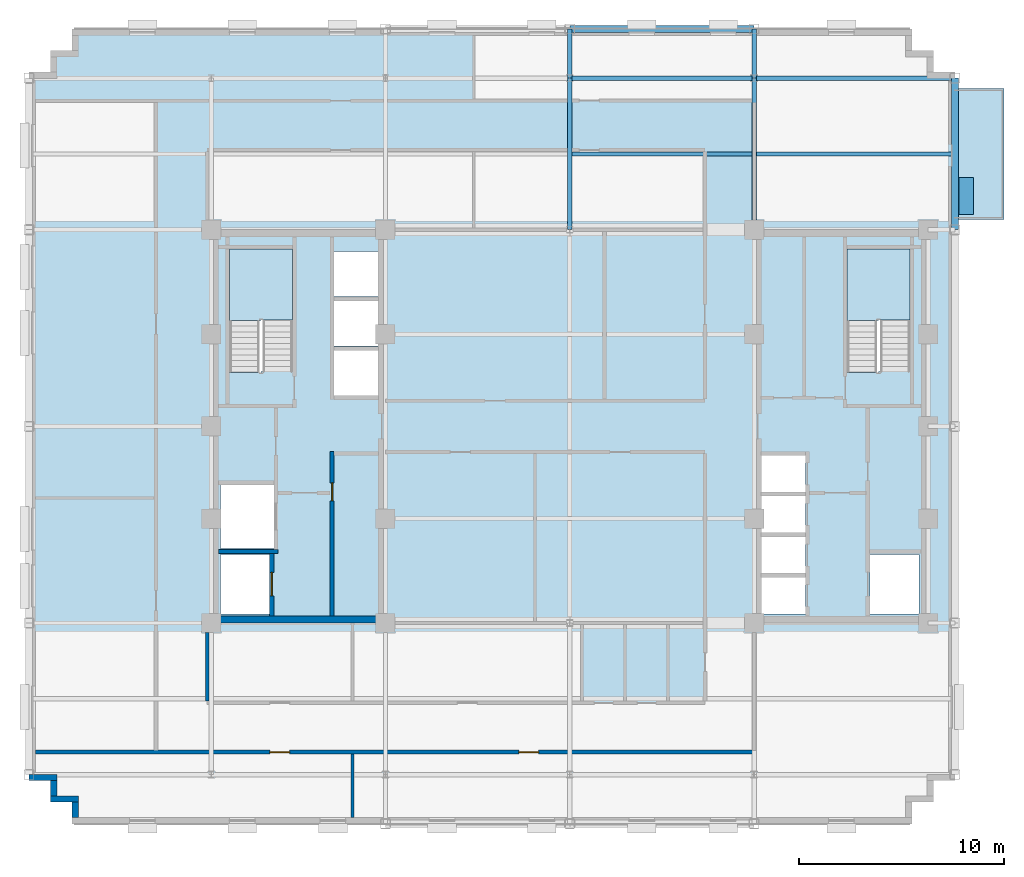
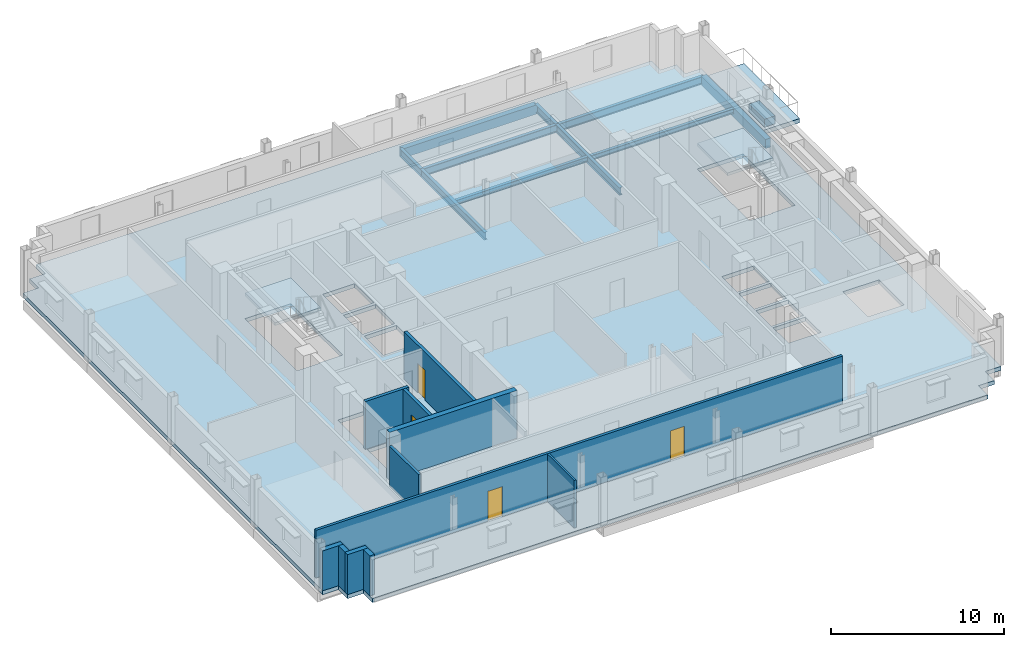
# One storey, part 5 of 13: 11 walls, 10 beams, 4 doors, 4 slabs, 1 plate, 4 openings, 2 elements without a shape of their own.
"""IFC4 building model written with IfcOpenShell, lengths in metres."""

from ifc_helpers import new_model, si_unit, direction, frame, frame_2d, origin, origin_2d, place, context, subcontext, project, spatial, polyline, rectangle, i_section, outline, extrude, source, transform, mapped, material, layer, layer_set, material_profile, profile_set, type_object, type_shapes, element, fill, aggregate, save


model = new_model("IFC4")

# Units and contexts
model_context = context("Model", 3, precision=1e-05, world=origin(), true_north=direction((0.0, 1.0)))
body_context = subcontext(model_context, "Body", "Model", "MODEL_VIEW")
ifc_project = project(units=[si_unit("LENGTHUNIT", "METRE"), si_unit("AREAUNIT", "SQUARE_METRE"), si_unit("VOLUMEUNIT", "CUBIC_METRE"), si_unit("PLANEANGLEUNIT", "RADIAN"), si_unit("MASSUNIT", "GRAM", prefix="KILO")], contexts=[model_context])

# Site, building, storey
site_placement = place(None, origin())
site = spatial("IfcSite", under=ifc_project, at=site_placement, CompositionType="ELEMENT")
building_placement = place(site_placement, origin())
building = spatial("IfcBuilding", under=site, at=building_placement, Name="Nuvemarco Arch Tower", CompositionType="ELEMENT")
storey_placement = place(building_placement, frame((0.0, 0.0, 216.449951171875)))
storey = spatial("IfcBuildingStorey", under=building, at=storey_placement, Name="L57", CompositionType="ELEMENT", Elevation=216.449951171875)

# Beams
ifc_material_1 = material(Name="Steel S355", Category="steel")
ifc_material_profile_1 = material_profile(ifc_material_1, i_section(OverallWidth=0.2109375, OverallDepth=0.5390625, WebThickness=0.01171875, FlangeThickness=0.018798828125, FilletRadius=0.01611328125, at=origin_2d()), Name="W530x109")
ifc_profile_set_1 = profile_set([ifc_material_profile_1], Name="Steel S355")
beam_type_1 = type_object("IfcBeamType", Name="BM-GIRD-530", PredefinedType="BEAM", material=ifc_profile_set_1)
beam_1_placement = place(storey_placement, frame((0.0, 9.60009765625, -0.549560546875), z_axis=(0.0, 1.0, 0.0), x_axis=(-1.0, 0.0, 0.0)))
element("IfcBeam", 1, at=beam_1_placement, inside=storey, type_object=beam_type_1, Name="L57 structural beam BGNS_L57_0_+0.0_+9.6", PredefinedType="BEAM", context=body_context, shape_type="SweptSolid", body=[
    extrude(i_section(OverallWidth=0.2109375, OverallDepth=0.5390625, WebThickness=0.01171875, FlangeThickness=0.018798828125, FilletRadius=0.01611328125, at=origin_2d()), origin(), (0.0, 0.0, 1.0), 7.39990234375),
])
beam_2_placement = place(storey_placement, frame((0.0, 17.0, -0.549560546875), z_axis=(0.0, 1.0, 0.0), x_axis=(-1.0, 0.0, 0.0)))
element("IfcBeam", 2, at=beam_2_placement, inside=storey, type_object=beam_type_1, Name="L57 structural beam BGNS_L57_0_+0.0_+17.0", PredefinedType="BEAM", context=body_context, shape_type="SweptSolid", body=[
    extrude(i_section(OverallWidth=0.2109375, OverallDepth=0.5390625, WebThickness=0.01171875, FlangeThickness=0.018798828125, FilletRadius=0.01611328125, at=origin_2d()), origin(), (0.0, 0.0, 1.0), 2.39990234375),
])
beam_3_placement = place(storey_placement, frame((9.0, 9.60009765625, -0.549560546875), z_axis=(0.0, 1.0, 0.0), x_axis=(-1.0, 0.0, 0.0)))
element("IfcBeam", 3, at=beam_3_placement, inside=storey, type_object=beam_type_1, Name="L57 structural beam BGNS_L57_0_+9.0_+9.6", PredefinedType="BEAM", context=body_context, shape_type="SweptSolid", body=[
    extrude(i_section(OverallWidth=0.2109375, OverallDepth=0.5390625, WebThickness=0.01171875, FlangeThickness=0.018798828125, FilletRadius=0.01611328125, at=origin_2d()), origin(), (0.0, 0.0, 1.0), 7.39990234375),
])
beam_4_placement = place(storey_placement, frame((9.0, 17.0, -0.549560546875), z_axis=(0.0, 1.0, 0.0), x_axis=(-1.0, 0.0, 0.0)))
element("IfcBeam", 4, at=beam_4_placement, inside=storey, type_object=beam_type_1, Name="L57 structural beam BGNS_L57_0_+9.0_+17.0", PredefinedType="BEAM", context=body_context, shape_type="SweptSolid", body=[
    extrude(i_section(OverallWidth=0.2109375, OverallDepth=0.5390625, WebThickness=0.01171875, FlangeThickness=0.018798828125, FilletRadius=0.01611328125, at=origin_2d()), origin(), (0.0, 0.0, 1.0), 2.39990234375),
])
beam_5_placement = place(storey_placement, frame((0.0, 17.0, -0.549560546875), z_axis=(1.0, 0.0, 0.0), x_axis=(0.0, 1.0, 0.0)))
element("IfcBeam", 5, at=beam_5_placement, inside=storey, type_object=beam_type_1, Name="L57 structural beam BGEW_L57_0_+17.0_+0.0", PredefinedType="BEAM", context=body_context, shape_type="SweptSolid", body=[
    extrude(i_section(OverallWidth=0.2109375, OverallDepth=0.5390625, WebThickness=0.01171875, FlangeThickness=0.018798828125, FilletRadius=0.01611328125, at=origin_2d()), origin(), (0.0, 0.0, 1.0), 9.0),
])
beam_6_placement = place(storey_placement, frame((9.0, 17.0, -0.549560546875), z_axis=(1.0, 0.0, 0.0), x_axis=(0.0, 1.0, 0.0)))
element("IfcBeam", 6, at=beam_6_placement, inside=storey, type_object=beam_type_1, Name="L57 structural beam BGEW_L57_0_+17.0_+9.0", PredefinedType="BEAM", context=body_context, shape_type="SweptSolid", body=[
    extrude(i_section(OverallWidth=0.2109375, OverallDepth=0.5390625, WebThickness=0.01171875, FlangeThickness=0.018798828125, FilletRadius=0.01611328125, at=origin_2d()), origin(), (0.0, 0.0, 1.0), 9.800048828125),
])
ifc_material_profile_2 = material_profile(ifc_material_1, i_section(OverallWidth=0.202880859375, OverallDepth=0.346923828125, WebThickness=0.0078125, FlangeThickness=0.013427734375, FilletRadius=0.014892578125, at=origin_2d()), Name="W360x64")
ifc_profile_set_2 = profile_set([ifc_material_profile_2], Name="Steel S355")
beam_type_2 = type_object("IfcBeamType", Name="BM-JOIST-360", PredefinedType="JOIST", material=ifc_profile_set_2)
beam_7_placement = place(storey_placement, frame((0.10546875, 13.300048828125, -0.453369140625), z_axis=(1.0, 0.0, 0.0), x_axis=(0.0, 1.0, 0.0)))
element("IfcBeam", 7, at=beam_7_placement, inside=storey, type_object=beam_type_2, Name="L57 structural beam BJ_L57_0_+13.3_+0.0", PredefinedType="JOIST", context=body_context, shape_type="SweptSolid", body=[
    extrude(i_section(OverallWidth=0.202880859375, OverallDepth=0.346923828125, WebThickness=0.0078125, FlangeThickness=0.013427734375, FilletRadius=0.014892578125, at=origin_2d()), origin(), (0.0, 0.0, 1.0), 8.7890625),
])
beam_8_placement = place(storey_placement, frame((9.10546875, 13.300048828125, -0.453369140625), z_axis=(1.0, 0.0, 0.0), x_axis=(0.0, 1.0, 0.0)))
element("IfcBeam", 8, at=beam_8_placement, inside=storey, type_object=beam_type_2, Name="L57 structural beam BJ_L57_0_+13.3_+9.0", PredefinedType="JOIST", context=body_context, shape_type="SweptSolid", body=[
    extrude(i_section(OverallWidth=0.202880859375, OverallDepth=0.346923828125, WebThickness=0.0078125, FlangeThickness=0.013427734375, FilletRadius=0.014892578125, at=origin_2d()), origin(), (0.0, 0.0, 1.0), 9.51953125),
])
ifc_material_2 = material(Name="Precast concrete C45/55", Category="concrete")
ifc_material_profile_3 = material_profile(ifc_material_2, rectangle(XDim=0.35009765625, YDim=0.64990234375, at=origin_2d()), Name="PC-SP-350x650")
ifc_profile_set_3 = profile_set([ifc_material_profile_3], Name="Precast concrete C45/55")
beam_type_3 = type_object("IfcBeamType", Name="BM-SPAN-RC", PredefinedType="SPANDREL", material=ifc_profile_set_3)
beam_9_placement = place(storey_placement, frame((18.800048828125, 9.60009765625, -0.60498046875), z_axis=(0.0, 1.0, 0.0), x_axis=(-1.0, 0.0, 0.0)))
element("IfcBeam", 9, at=beam_9_placement, inside=storey, type_object=beam_type_3, Name="L57 structural beam BGNS_L57_0_+18.8_+9.6", PredefinedType="SPANDREL", context=body_context, shape_type="SweptSolid", body=[
    extrude(rectangle(XDim=0.35009765625, YDim=0.64990234375, at=origin_2d()), origin(), (0.0, 0.0, 1.0), 7.39990234375),
])
beam_10_placement = place(storey_placement, frame((0.0, 19.39990234375, -0.60498046875), z_axis=(1.0, 0.0, 0.0), x_axis=(0.0, 1.0, 0.0)))
element("IfcBeam", 10, at=beam_10_placement, inside=storey, type_object=beam_type_3, Name="L57 structural beam BGEW_L57_0_+19.4_+0.0", PredefinedType="SPANDREL", context=body_context, shape_type="SweptSolid", body=[
    extrude(rectangle(XDim=0.35009765625, YDim=0.64990234375, at=origin_2d()), origin(), (0.0, 0.0, 1.0), 9.0),
])

# Slab
ifc_material_3 = material(Name="Concrete C50/60", Category="concrete")
ifc_layer_1 = layer(ifc_material_3, 0.280029296875, Name="SL-FLR-280")
ifc_layer_set_1 = layer_set([ifc_layer_1], Name="Concrete C50/60")
slab_type_1 = type_object("IfcSlabType", Name="SL-FLR-280", PredefinedType="FLOOR", material=ifc_layer_set_1)
slab_1_placement = place(storey_placement, frame((0.0, 0.0, -0.280029296875)))
element("IfcSlab", 11, at=slab_1_placement, inside=storey, type_object=slab_type_1, Name="L57 structural floor slab", PredefinedType="FLOOR", context=body_context, shape_type="SweptSolid", body=[
    extrude(outline(polyline([(-24.300048828125, -19.39990234375), (16.699951171875, -19.39990234375), (16.699951171875, -18.35009765625), (17.75, -18.35009765625), (17.75, -17.300048828125), (18.800048828125, -17.300048828125), (18.800048828125, 17.300048828125), (17.75, 17.300048828125), (17.75, 18.35009765625), (16.699951171875, 18.35009765625), (16.699951171875, 19.39990234375), (-24.300048828125, 19.39990234375), (-24.300048828125, 18.35009765625), (-25.35009765625, 18.35009765625), (-25.35009765625, 17.300048828125), (-26.39990234375, 17.300048828125), (-26.39990234375, -17.300048828125), (-25.35009765625, -17.300048828125), (-25.35009765625, -18.35009765625), (-24.300048828125, -18.35009765625), (-24.300048828125, -19.39990234375)]), holes=[polyline([(-13.5400390625, 2.669921875), (-13.5400390625, 8.64990234375), (-16.60009765625, 8.64990234375), (-16.60009765625, 2.630615234375), (-15.070068359375, 2.630615234375), (-15.070068359375, 2.669921875), (-13.5400390625, 2.669921875)]), polyline([(16.60009765625, 2.669921875), (16.60009765625, 8.64990234375), (13.5400390625, 8.64990234375), (13.5400390625, 2.630615234375), (15.070068359375, 2.630615234375), (15.070068359375, 2.669921875), (16.60009765625, 2.669921875)]), polyline([(-17.050048828125, -9.14990234375), (-14.64990234375, -9.14990234375), (-14.64990234375, -6.25), (-17.050048828125, -6.25), (-17.050048828125, -9.14990234375)]), polyline([(-17.050048828125, -5.949951171875), (-14.449951171875, -5.949951171875), (-14.449951171875, -2.85009765625), (-17.050048828125, -2.85009765625), (-17.050048828125, -5.949951171875)]), polyline([(-11.5, 1.5), (-9.35009765625, 1.5), (-9.35009765625, 3.699951171875), (-11.5, 3.699951171875), (-11.5, 1.5)]), polyline([(-11.5, 3.919921875), (-9.35009765625, 3.919921875), (-9.35009765625, 6.1201171875), (-11.5, 6.1201171875), (-11.5, 3.919921875)]), polyline([(-11.5, 6.340087890625), (-9.35009765625, 6.340087890625), (-9.35009765625, 8.5400390625), (-11.5, 8.5400390625), (-11.5, 6.340087890625)]), polyline([(14.64990234375, -9.14990234375), (17.050048828125, -9.14990234375), (17.050048828125, -6.25), (14.64990234375, -6.25), (14.64990234375, -9.14990234375)]), polyline([(9.35009765625, -9.14990234375), (11.5, -9.14990234375), (11.5, -7.3701171875), (9.35009765625, -7.3701171875), (9.35009765625, -9.14990234375)]), polyline([(9.35009765625, -7.169921875), (11.5, -7.169921875), (11.5, -5.389892578125), (9.35009765625, -5.389892578125), (9.35009765625, -7.169921875)]), polyline([(9.35009765625, -5.18994140625), (11.5, -5.18994140625), (11.5, -3.409912109375), (9.35009765625, -3.409912109375), (9.35009765625, -5.18994140625)]), polyline([(9.35009765625, -3.2099609375), (11.5, -3.2099609375), (11.5, -1.429931640625), (9.35009765625, -1.429931640625), (9.35009765625, -3.2099609375)])]), origin(), (0.0, 0.0, 1.0), 0.280029296875),
])

# Stair, slab
stair_type = type_object("IfcStairType", Name="ST-CORE-20R", PredefinedType="HALF_TURN_STAIR", material=ifc_material_2)
stair_1_placement = place(storey_placement, origin())
stair_1 = element("IfcStair", 12, at=stair_1_placement, inside=storey, type_object=stair_type, Name="L57 Protected Exit Stair ST-1", PredefinedType="HALF_TURN_STAIR")
ifc_layer_2 = layer(ifc_material_2, 0.199951171875, Name="SL-LANDING-200")
ifc_layer_set_2 = layer_set([ifc_layer_2], Name="Precast concrete C45/55")
slab_type_2 = type_object("IfcSlabType", Name="SL-LANDING-200", PredefinedType="LANDING", material=ifc_layer_set_2)
slab_2_placement = place(storey_placement, frame((0.0, 0.0, 1.625)))
slab_2 = element("IfcSlab", 13, at=slab_2_placement, type_object=slab_type_2, Name="ST-20R landing 1", PredefinedType="LANDING", context=body_context, shape_type="SweptSolid", body=[
    extrude(outline(polyline([(-13.5400390625, 5.189453125), (-13.5400390625, 8.64990234375), (-16.60009765625, 8.64990234375), (-16.60009765625, 5.169921875), (-15.070068359375, 5.169921875), (-15.070068359375, 5.189453125), (-13.5400390625, 5.189453125)])), origin(), (0.0, 0.0, 1.0), 0.199951171875),
])
aggregate(stair_1, [slab_2])

stair_2_placement = place(storey_placement, origin())
stair_2 = element("IfcStair", 14, at=stair_2_placement, inside=storey, type_object=stair_type, Name="L57 Protected Exit Stair ST-2", PredefinedType="HALF_TURN_STAIR")
slab_3_placement = place(storey_placement, frame((0.0, 0.0, 1.625)))
slab_3 = element("IfcSlab", 15, at=slab_3_placement, type_object=slab_type_2, Name="ST-20R landing 1", PredefinedType="LANDING", context=body_context, shape_type="SweptSolid", body=[
    extrude(outline(polyline([(16.60009765625, 5.189453125), (16.60009765625, 8.64990234375), (13.5400390625, 8.64990234375), (13.5400390625, 5.169921875), (15.070068359375, 5.169921875), (15.070068359375, 5.189453125), (16.60009765625, 5.189453125)])), origin(), (0.0, 0.0, 1.0), 0.199951171875),
])
aggregate(stair_2, [slab_3])

# Slab
ifc_layer_3 = layer(ifc_material_3, 0.294921875, Name="SL-TR4")
ifc_layer_set_3 = layer_set([ifc_layer_3], Name="Concrete C50/60")
slab_type_3 = type_object("IfcSlabType", Name="SL-TR4", PredefinedType="FLOOR", material=ifc_layer_set_3)
slab_4_placement = place(storey_placement, frame((0.0, 0.0, -0.294921875)))
element("IfcSlab", 16, at=slab_4_placement, inside=storey, type_object=slab_type_3, Name="L57 outdoor spiral terrace slab 1", PredefinedType="FLOOR", context=body_context, shape_type="SweptSolid", body=[
    extrude(outline(polyline([(18.800048828125, 10.10009765625), (21.199951171875, 10.10009765625), (21.199951171875, 16.5), (18.800048828125, 16.5), (18.800048828125, 10.10009765625)])), origin(), (0.0, 0.0, 1.0), 0.294921875),
])

# Plate
ifc_layer_4 = layer(ifc_material_2, 0.550048828125, Name="Tree Balcony Structural Planter")
ifc_layer_set_4 = layer_set([ifc_layer_4], Name="Precast concrete C45/55")
plate_type = type_object("IfcPlateType", Name="Tree Balcony Structural Planter", PredefinedType="USERDEFINED", material=ifc_layer_set_4)
shared_shape_1 = source(origin(), body_context, "Body", "SweptSolid", [
    extrude(rectangle(XDim=1.800048828125, YDim=0.699951171875, at=origin_2d()), origin(), (0.0, 0.0, 1.0), 0.550048828125),
])
type_shapes(plate_type, [shared_shape_1])
plate_placement = place(storey_placement, frame((19.35009765625, 11.25, 0.0), z_axis=(0.0, 0.0, 1.0), x_axis=(0.0, 1.0, 0.0)))
element("IfcPlate", 17, at=plate_placement, inside=storey, type_object=plate_type, Name="L57 Tree Balcony Structural Planter", ObjectType="PLANTER", PredefinedType="USERDEFINED", context=body_context, shape_type="MappedRepresentation", body=[
    mapped(shared_shape_1, transform((0.0, 0.0, 0.0), scale=1.0)),
])

# Walls
ifc_layer_5 = layer(ifc_material_2, 0.31005859375, Name="EW-UPP-310")
ifc_layer_set_5 = layer_set([ifc_layer_5], Name="Precast concrete C45/55")
wall_type_1 = type_object("IfcWallType", Name="EW-UPP-310", PredefinedType="STANDARD", material=ifc_layer_set_5)
wall_1_placement = place(storey_placement, frame((-26.39990234375, -17.14501953125, 0.0), z_axis=(0.0, 0.0, 1.0), x_axis=(1.0, 0.0, 0.0)))
element("IfcWall", 18, at=wall_1_placement, inside=storey, type_object=wall_type_1, Name="L57 exterior precast facade wall 17", PredefinedType="STANDARD", context=body_context, shape_type="SweptSolid", body=[
    extrude(rectangle(XDim=1.35986328125, YDim=0.31005859375, at=frame_2d((0.679931640625, 0.0))), origin(), (0.0, 0.0, 1.0), 2.816162109375),
])
wall_2_placement = place(storey_placement, frame((-25.195068359375, -18.0439453125, 0.0), z_axis=(0.0, 0.0, 1.0), x_axis=(0.0, 1.0, 0.0)))
element("IfcWall", 19, at=wall_2_placement, inside=storey, type_object=wall_type_1, Name="L57 exterior precast facade wall 18", PredefinedType="STANDARD", context=body_context, shape_type="SweptSolid", body=[
    extrude(rectangle(XDim=0.748046875, YDim=0.31005859375, at=frame_2d((0.3740234375, 0.0))), origin(), (0.0, 0.0, 1.0), 2.816162109375),
])
wall_3_placement = place(storey_placement, frame((-25.35009765625, -18.195068359375, 0.0), z_axis=(0.0, 0.0, 1.0), x_axis=(1.0, 0.0, 0.0)))
element("IfcWall", 20, at=wall_3_placement, inside=storey, type_object=wall_type_1, Name="L57 exterior precast facade wall 19", PredefinedType="STANDARD", context=body_context, shape_type="SweptSolid", body=[
    extrude(rectangle(XDim=1.360107421875, YDim=0.31005859375, at=frame_2d((0.68017578125, 0.0))), origin(), (0.0, 0.0, 1.0), 2.816162109375),
])
wall_4_placement = place(storey_placement, frame((-24.14501953125, -19.093994140625, 0.0), z_axis=(0.0, 0.0, 1.0), x_axis=(0.0, 1.0, 0.0)))
element("IfcWall", 21, at=wall_4_placement, inside=storey, type_object=wall_type_1, Name="L57 exterior precast facade wall 20", PredefinedType="STANDARD", context=body_context, shape_type="SweptSolid", body=[
    extrude(rectangle(XDim=0.748046875, YDim=0.31005859375, at=frame_2d((0.3740234375, 0.0))), origin(), (0.0, 0.0, 1.0), 2.816162109375),
])
ifc_layer_6 = layer(ifc_material_3, 0.35009765625, Name="WL-CORE-350")
ifc_layer_set_6 = layer_set([ifc_layer_6], Name="Concrete C50/60")
wall_type_2 = type_object("IfcWallType", Name="WL-CORE-350", PredefinedType="SHEAR", material=ifc_layer_set_6)
wall_5_placement = place(storey_placement, frame((-17.5, -9.425048828125, 0.0), z_axis=(0.0, 0.0, 1.0), x_axis=(1.0, 0.0, 0.0)))
element("IfcWall", 22, at=wall_5_placement, inside=storey, type_object=wall_type_2, Name="L57 W-core shear wall S", PredefinedType="SHEAR", context=body_context, shape_type="SweptSolid", body=[
    extrude(rectangle(XDim=8.5, YDim=0.35009765625, at=frame_2d((4.25, 0.0))), origin(), (0.0, 0.0, 1.0), 3.3701171875),
])

# Wall, openings, doors
ifc_material_4 = material(Name="Fire-rated gypsum drywall partition")
ifc_layer_7 = layer(ifc_material_4, 0.179931640625, Name="WL-CORR-180")
ifc_layer_set_7 = layer_set([ifc_layer_7], Name="Fire-rated gypsum drywall partition")
wall_type_3 = type_object("IfcWallType", Name="WL-CORR-180", PredefinedType="PARTITIONING", material=ifc_layer_set_7)
wall_6_placement = place(storey_placement, frame((-26.090087890625, -15.89990234375, 0.0), z_axis=(0.0, 0.0, 1.0), x_axis=(1.0, 0.0, 0.0)))
wall_6 = element("IfcWall", 23, at=wall_6_placement, inside=storey, type_object=wall_type_3, Name="L57 interior wall IW-L57-001", PredefinedType="PARTITIONING", context=body_context, shape_type="SweptSolid", body=[
    extrude(rectangle(XDim=35.090087890625, YDim=0.179931640625, at=frame_2d((17.544921875, 0.0))), origin(), (0.0, 0.0, 1.0), 3.360107421875),
])
opening_1_placement = place(wall_6_placement, frame((23.60498046875, 0.0, 0.0)))
opening_1 = element("IfcOpeningElement", 24, at=opening_1_placement, cuts=wall_6, Name="Opening FD-5", PredefinedType="OPENING", context=body_context, shape_type="SweptSolid", body=[
    extrude(rectangle(XDim=0.9599609375, YDim=2.10009765625, at=frame_2d((0.47998046875, 1.050048828125))), frame((0.0, 0.099853515625, 0.0), z_axis=(0.0, -1.0, 0.0), x_axis=(1.0, 0.0, 0.0)), (0.0, 0.0, 1.0), 0.199951171875),
])
opening_2_placement = place(wall_6_placement, frame((11.455078125, 0.0, 0.0)))
opening_2 = element("IfcOpeningElement", 25, at=opening_2_placement, cuts=wall_6, Name="Opening FD-5", PredefinedType="OPENING", context=body_context, shape_type="SweptSolid", body=[
    extrude(rectangle(XDim=0.9599609375, YDim=2.10009765625, at=frame_2d((0.47998046875, 1.050048828125))), frame((0.0, 0.099853515625, 0.0), z_axis=(0.0, -1.0, 0.0), x_axis=(1.0, 0.0, 0.0)), (0.0, 0.0, 1.0), 0.199951171875),
])
ifc_material_5 = material(Name="Timber fire door", Category="wood")
door_type_1 = type_object("IfcDoorType", Name="DR-CORR-FD", OperationType="NOTDEFINED", PredefinedType="DOOR", material=ifc_material_5)
shared_shape_2 = source(origin(), body_context, "Body", "SweptSolid", [
    extrude(rectangle(XDim=0.9599609375, YDim=2.10009765625, at=frame_2d((0.47998046875, 1.050048828125))), frame((0.0, 0.02490234375, 0.0), z_axis=(0.0, -1.0, 0.0), x_axis=(1.0, 0.0, 0.0)), (0.0, 0.0, 1.0), 0.050048828125),
])
type_shapes(door_type_1, [shared_shape_2])
door_1_placement = place(opening_1_placement, origin())
door_1 = element("IfcDoor", 26, at=door_1_placement, inside=storey, type_object=door_type_1, Name="L57 door DR-L57-S_2", OperationType="SINGLE_SWING_RIGHT", OverallHeight=2.10009765625, OverallWidth=0.9599609375, PredefinedType="DOOR", context=body_context, shape_type="MappedRepresentation", body=[
    mapped(shared_shape_2, transform((0.0, 0.0, 0.0), scale=1.0)),
])
fill(opening_1, door_1)
door_2_placement = place(opening_2_placement, origin())
door_2 = element("IfcDoor", 27, at=door_2_placement, inside=storey, type_object=door_type_1, Name="L57 door DR-L57-S_1", OperationType="SINGLE_SWING_RIGHT", OverallHeight=2.10009765625, OverallWidth=0.9599609375, PredefinedType="DOOR", context=body_context, shape_type="MappedRepresentation", body=[
    mapped(shared_shape_2, transform((0.0, 0.0, 0.0), scale=1.0)),
])
fill(opening_2, door_2)

# Walls
wall_7_placement = place(storey_placement, frame((-17.699951171875, -13.4140625, 0.0), z_axis=(0.0, 0.0, 1.0), x_axis=(0.0, 1.0, 0.0)))
element("IfcWall", 28, at=wall_7_placement, inside=storey, type_object=wall_type_3, Name="L57 interior wall IW-L57-013", PredefinedType="PARTITIONING", context=body_context, shape_type="SweptSolid", body=[
    extrude(rectangle(XDim=3.343017578125, YDim=0.179931640625, at=frame_2d((1.67138671875, 0.0))), origin(), (0.0, 0.0, 1.0), 2.816162109375),
])
ifc_material_6 = material(Name="Gypsum plasterboard partition")
ifc_layer_8 = layer(ifc_material_6, 0.139892578125, Name="WL-ROOM-140")
ifc_layer_set_8 = layer_set([ifc_layer_8], Name="Gypsum plasterboard partition")
wall_type_4 = type_object("IfcWallType", Name="WL-ROOM-140", PredefinedType="PARTITIONING", material=ifc_layer_set_8)
wall_8_placement = place(storey_placement, frame((-10.610107421875, -19.090087890625, 0.0), z_axis=(0.0, 0.0, 1.0), x_axis=(0.0, 1.0, 0.0)))
element("IfcWall", 29, at=wall_8_placement, inside=storey, type_object=wall_type_4, Name="L57 interior wall IW-L57-015", PredefinedType="PARTITIONING", context=body_context, shape_type="SweptSolid", body=[
    extrude(rectangle(XDim=3.10400390625, YDim=0.139892578125, at=frame_2d((1.552001953125, 0.0))), origin(), (0.0, 0.0, 1.0), 3.360107421875),
])

# Wall, opening, door
ifc_layer_9 = layer(ifc_material_3, 0.199951171875, Name="WL-SHAFT-220")
ifc_layer_set_9 = layer_set([ifc_layer_9], Name="Concrete C50/60")
wall_type_5 = type_object("IfcWallType", Name="WL-SHAFT-220", PredefinedType="SHEAR", material=ifc_layer_set_9)
wall_9_placement = place(storey_placement, frame((-14.550048828125, -9.2548828125, 0.0), z_axis=(0.0, 0.0, 1.0), x_axis=(0.0, 1.0, 0.0)))
wall_9 = element("IfcWall", 30, at=wall_9_placement, inside=storey, type_object=wall_type_5, Name="L57 structural shaft wall SW-L57-W-SHE", PredefinedType="SHEAR", context=body_context, shape_type="SweptSolid", body=[
    extrude(rectangle(XDim=3.059814453125, YDim=0.199951171875, at=frame_2d((1.52978515625, 0.0))), origin(), (0.0, 0.0, 1.0), 3.3701171875),
])
opening_3_placement = place(wall_9_placement, frame((0.97998046875, 0.0, 0.0)))
opening_3 = element("IfcOpeningElement", 31, at=opening_3_placement, cuts=wall_9, Name="Opening LD-2", PredefinedType="OPENING", context=body_context, shape_type="SweptSolid", body=[
    extrude(rectangle(XDim=1.14990234375, YDim=2.14990234375, at=frame_2d((0.574951171875, 1.074951171875))), frame((0.0, 0.10986328125, 0.0), z_axis=(0.0, -1.0, 0.0), x_axis=(1.0, 0.0, 0.0)), (0.0, 0.0, 1.0), 0.219970703125),
])
ifc_material_7 = material(Name="Stainless steel lift door", Category="steel")
door_type_2 = type_object("IfcDoorType", Name="DR-LIFT-FIRE", OperationType="DOUBLE_DOOR_SLIDING", PredefinedType="DOOR", material=ifc_material_7)
shared_shape_3 = source(origin(), body_context, "Body", "SweptSolid", [
    extrude(rectangle(XDim=1.14990234375, YDim=2.14990234375, at=frame_2d((0.574951171875, 1.074951171875))), frame((0.0, 0.02490234375, 0.0), z_axis=(0.0, -1.0, 0.0), x_axis=(1.0, 0.0, 0.0)), (0.0, 0.0, 1.0), 0.050048828125),
])
type_shapes(door_type_2, [shared_shape_3])
door_3_placement = place(opening_3_placement, origin())
door_3 = element("IfcDoor", 32, at=door_3_placement, inside=storey, type_object=door_type_2, Name="L57 Lift landing sliding door FFL-1", OperationType="DOUBLE_DOOR_SLIDING", OverallHeight=2.14990234375, OverallWidth=1.14990234375, PredefinedType="DOOR", context=body_context, shape_type="MappedRepresentation", body=[
    mapped(shared_shape_3, transform((0.0, 0.0, 0.0), scale=1.0)),
])
fill(opening_3, door_3)

# Wall
wall_10_placement = place(storey_placement, frame((-17.155029296875, -6.10009765625, 0.0), z_axis=(0.0, 0.0, 1.0), x_axis=(1.0, 0.0, 0.0)))
element("IfcWall", 33, at=wall_10_placement, inside=storey, type_object=wall_type_5, Name="L57 structural shaft wall SW-L57-W-SH1", PredefinedType="SHEAR", context=body_context, shape_type="SweptSolid", body=[
    extrude(rectangle(XDim=2.905029296875, YDim=0.199951171875, at=frame_2d((1.45263671875, 0.0))), origin(), (0.0, 0.0, 1.0), 3.3701171875),
])

# Wall, opening, door
wall_11_placement = place(storey_placement, frame((-11.60009765625, -9.2548828125, 0.0), z_axis=(0.0, 0.0, 1.0), x_axis=(0.0, 1.0, 0.0)))
wall_11 = element("IfcWall", 34, at=wall_11_placement, inside=storey, type_object=wall_type_5, Name="L57 structural shaft wall SW-L57-W-PLW", PredefinedType="SHEAR", context=body_context, shape_type="SweptSolid", body=[
    extrude(rectangle(XDim=8.02490234375, YDim=0.199951171875, at=frame_2d((4.012451171875, 0.0))), origin(), (0.0, 0.0, 1.0), 3.3701171875),
])
opening_4_placement = place(wall_11_placement, frame((5.614990234375, 0.0, 0.0)))
opening_4 = element("IfcOpeningElement", 35, at=opening_4_placement, cuts=wall_11, Name="Opening FD-4", PredefinedType="OPENING", context=body_context, shape_type="SweptSolid", body=[
    extrude(rectangle(XDim=0.8798828125, YDim=2.10009765625, at=frame_2d((0.43994140625, 1.050048828125))), frame((0.0, 0.10986328125, 0.0), z_axis=(0.0, -1.0, 0.0), x_axis=(1.0, 0.0, 0.0)), (0.0, 0.0, 1.0), 0.219970703125),
])
ifc_material_8 = material(Name="Anodised steel fire door", Category="steel")
door_type_3 = type_object("IfcDoorType", Name="DR-RISER-FD", OperationType="NOTDEFINED", PredefinedType="DOOR", material=ifc_material_8)
shared_shape_4 = source(origin(), body_context, "Body", "SweptSolid", [
    extrude(rectangle(XDim=0.8798828125, YDim=2.10009765625, at=frame_2d((0.43994140625, 1.050048828125))), frame((0.0, 0.02490234375, 0.0), z_axis=(0.0, -1.0, 0.0), x_axis=(1.0, 0.0, 0.0)), (0.0, 0.0, 1.0), 0.050048828125),
])
type_shapes(door_type_3, [shared_shape_4])
door_4_placement = place(opening_4_placement, origin())
door_4 = element("IfcDoor", 36, at=door_4_placement, inside=storey, type_object=door_type_3, Name="L57 door FD-L57-WREC1", OperationType="SINGLE_SWING_LEFT", OverallHeight=2.10009765625, OverallWidth=0.8798828125, PredefinedType="DOOR", context=body_context, shape_type="MappedRepresentation", body=[
    mapped(shared_shape_4, transform((0.0, 0.0, 0.0), scale=1.0)),
])
fill(opening_4, door_4)

save(model, "model.ifc")
